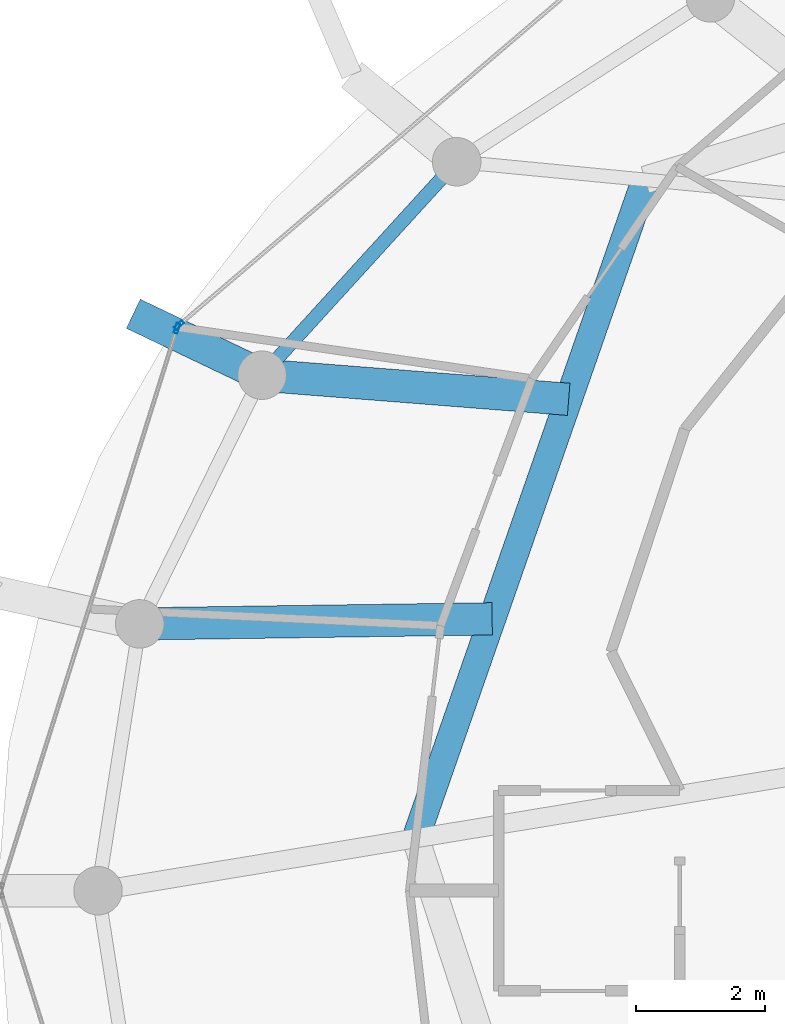
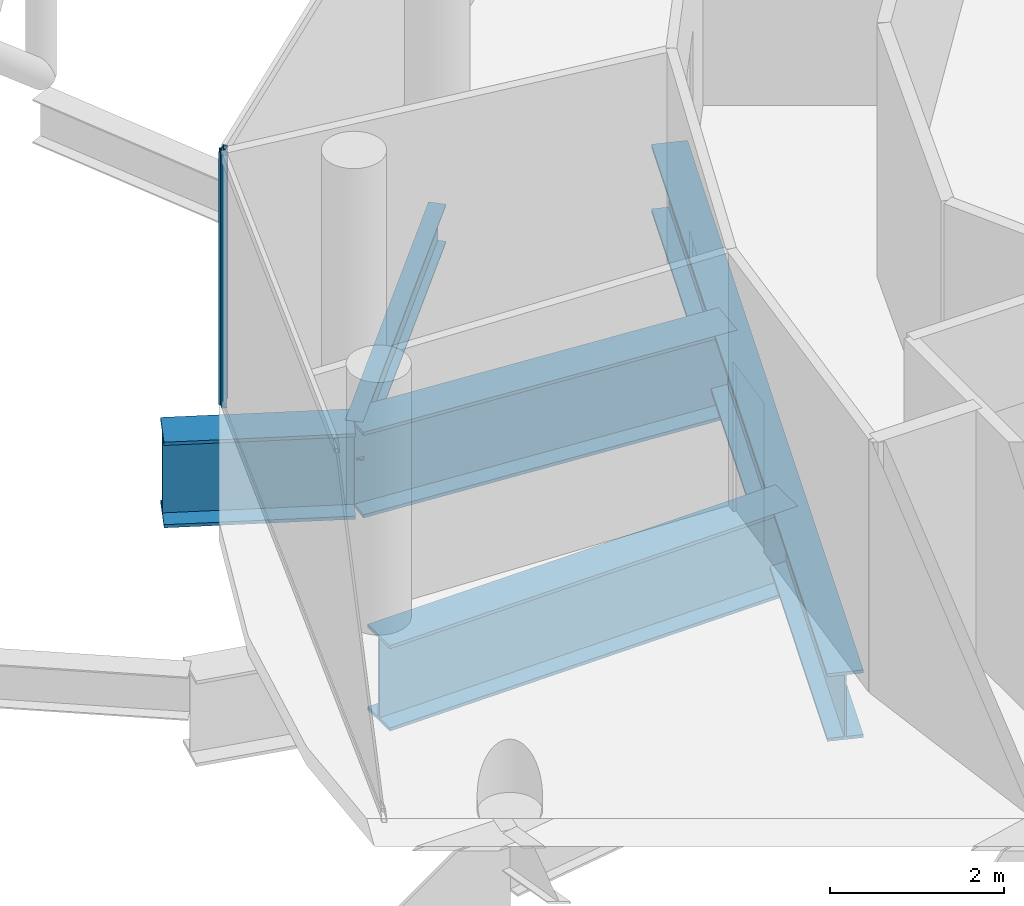
# One storey, part 8 of 25: 5 beams, 2 members, 2 elements without a shape of their own.
"""IFC4 building model written with IfcOpenShell, lengths in metres."""

import ifcopenshell
import ifcopenshell.guid

model = None  # the IFC model being written
_history = None  # IfcOwnerHistory: only IFC2X3 demands one
_inside = {}  # id of a spatial element -> (the spatial element, [elements in it])
_under = {}  # id of a project, library or spatial element -> (it, [spatial elements below it])
_declared = {}  # id of a project -> (the project, [libraries it declares])
_typed = {}  # id of a type object -> (the type object, [elements of that type])
_made_of = {}  # id of a material, layer set ... -> (it, [elements and type objects made of it])


def new_model(schema):
    """Start an empty IFC model of exactly this schema.

    Asked for "IFC4X3", IfcOpenShell would pick the latest addendum, in which some entities
    have other attributes; the version numbers below select the first issue.
    IFC2X3 requires an IfcOwnerHistory on every rooted entity: one is made here for all.
    """
    global model, _history
    if schema == "IFC4X3":
        model = ifcopenshell.file(schema_version=(4, 3, 0, 0))
    else:
        model = ifcopenshell.file(schema=schema)
    _inside.clear()
    _under.clear()
    _declared.clear()
    _typed.clear()
    _made_of.clear()
    _history = None
    if model.schema == "IFC2X3":
        org = make("IfcOrganization", Name="unknown")
        user = make(
            "IfcPersonAndOrganization",
            ThePerson=make("IfcPerson", FamilyName="unknown"),
            TheOrganization=org,
        )
        app = make(
            "IfcApplication",
            ApplicationDeveloper=org,
            Version="unknown",
            ApplicationFullName="unknown",
            ApplicationIdentifier="unknown",
        )
        _history = make(
            "IfcOwnerHistory",
            OwningUser=user,
            OwningApplication=app,
            ChangeAction="ADDED",
            CreationDate=0,
        )
    return model


def make(cls, **values):
    """One entity of the class cls with the attributes given. An attribute that is None is left unset."""
    return model.create_entity(
        cls, **{name: value for name, value in values.items() if value is not None}
    )


def rooted(cls, **values):
    """An entity with a GlobalId (a new one), such as an element, a storey or a relation."""
    return make(cls, GlobalId=ifcopenshell.guid.new(), OwnerHistory=_history, **values)


def si_unit(unit_type, name, prefix=None):
    """IfcSIUnit, for example si_unit("LENGTHUNIT", "METRE", prefix="MILLI")."""
    return make("IfcSIUnit", UnitType=unit_type, Prefix=prefix, Name=name)


def assignment(units):
    """IfcUnitAssignment: the units of a project."""
    return None if units is None else make("IfcUnitAssignment", Units=units)


def point(xyz):
    """IfcCartesianPoint."""
    return None if xyz is None else make("IfcCartesianPoint", Coordinates=xyz)


def direction(xyz):
    """IfcDirection."""
    return None if xyz is None else make("IfcDirection", DirectionRatios=xyz)


def frame(location, z_axis=None, x_axis=None):
    """IfcAxis2Placement3D, a coordinate frame: its origin and axes. An axis left out is left unset."""
    return make(
        "IfcAxis2Placement3D",
        Location=point(location),
        Axis=direction(z_axis),
        RefDirection=direction(x_axis),
    )


def frame_2d(location, x_axis=None):
    """IfcAxis2Placement2D, a coordinate frame in the plane: its origin and x axis."""
    return make(
        "IfcAxis2Placement2D", Location=point(location), RefDirection=direction(x_axis)
    )


def origin():
    """The frame at (0, 0, 0) with its axes left unset."""
    return frame((0.0, 0.0, 0.0))


def origin_2d():
    """The frame at (0, 0) in the plane with its x axis left unset."""
    return frame_2d((0.0, 0.0))


def place(relative_to, where):
    """IfcLocalPlacement: puts the frame where relative to a parent placement (None: the world)."""
    return make(
        "IfcLocalPlacement", PlacementRelTo=relative_to, RelativePlacement=where
    )


def context(
    kind, dimensions, precision=None, world=None, true_north=None, identifier=None
):
    """IfcGeometricRepresentationContext, for example the 3D "Model" context."""
    return make(
        "IfcGeometricRepresentationContext",
        ContextIdentifier=identifier,
        ContextType=kind,
        CoordinateSpaceDimension=dimensions,
        Precision=precision,
        WorldCoordinateSystem=world,
        TrueNorth=true_north,
    )


def subcontext(parent, identifier, kind, view, scale=None):
    """IfcGeometricRepresentationSubContext, for example "Body" below "Model"."""
    return make(
        "IfcGeometricRepresentationSubContext",
        ContextIdentifier=identifier,
        ContextType=kind,
        ParentContext=parent,
        TargetScale=scale,
        TargetView=view,
    )


def project(units=None, contexts=None):
    """IfcProject with its units and contexts."""
    return rooted(
        "IfcProject",
        Name="project",
        RepresentationContexts=contexts,
        UnitsInContext=assignment(units),
    )


def spatial(cls, under=None, at=None, **own):
    """A site, building, storey or space (cls), placed at a placement, below another one or the project."""
    s = rooted(cls, ObjectPlacement=at, **own)
    if under is not None:
        _under.setdefault(under.id(), (under, []))[1].append(s)
    return s


def profile(cls, at=None, kind="AREA", **sizes):
    """A parametric profile (cls). Its sizes go by their IFC names, for example OverallWidth=200.0."""
    return make(cls, ProfileType=kind, Position=at, **sizes)


def hollow_rectangle(**sizes):
    """IfcRectangleHollowProfileDef."""
    return profile("IfcRectangleHollowProfileDef", **sizes)


def i_section(**sizes):
    """IfcIShapeProfileDef."""
    return profile("IfcIShapeProfileDef", **sizes)


def extrude(swept, where, along, depth):
    """IfcExtrudedAreaSolid: the profile swept, set in the frame where, extruded along a direction by depth."""
    return make(
        "IfcExtrudedAreaSolid",
        SweptArea=swept,
        Position=where,
        ExtrudedDirection=direction(along),
        Depth=depth,
    )


def shape(context_of_items, identifier, shape_type, items):
    """IfcShapeRepresentation: the items that make up one representation, for example the "Body"."""
    return make(
        "IfcShapeRepresentation",
        ContextOfItems=context_of_items,
        RepresentationIdentifier=identifier,
        RepresentationType=shape_type,
        Items=items,
    )


def material(Name=None, Category=None):
    """IfcMaterial."""
    return make("IfcMaterial", Name=Name, Category=Category)


def layer(
    of_material, thickness, ventilated=None, Name=None, Category=None, Priority=None
):
    """IfcMaterialLayer: one layer of a wall or slab, of a material (None: an air gap)."""
    return make(
        "IfcMaterialLayer",
        Material=of_material,
        LayerThickness=thickness,
        IsVentilated=ventilated,
        Name=Name,
        Category=Category,
        Priority=Priority,
    )


def layer_set(layers, Name=None):
    """IfcMaterialLayerSet."""
    return make("IfcMaterialLayerSet", MaterialLayers=layers, LayerSetName=Name)


def material_profile(
    of_material, cross_section, Name=None, Category=None, Priority=None
):
    """IfcMaterialProfile: a cross section and its material."""
    return make(
        "IfcMaterialProfile",
        Name=Name,
        Material=of_material,
        Profile=cross_section,
        Priority=Priority,
        Category=Category,
    )


def profile_set(profiles, Name=None, composite=None):
    """IfcMaterialProfileSet."""
    return make(
        "IfcMaterialProfileSet",
        Name=Name,
        MaterialProfiles=profiles,
        CompositeProfile=composite,
    )


def made_of(thing, what):
    """Note that an element or type object is made of a material, layer set ...; save() writes the relation."""
    if what is not None:
        _made_of.setdefault(what.id(), (what, []))[1].append(thing)
    return thing


def type_object(cls, material=None, **own):
    """A type object (cls), such as IfcWallType, which elements share."""
    return made_of(rooted(cls, **own), material)


def element(
    cls,
    number,
    at=None,
    inside=None,
    cuts=None,
    type_object=None,
    material=None,
    context=None,
    identifier="Body",
    shape_type=None,
    held_by="IfcProductDefinitionShape",
    body=None,
    shapes=None,
    **own,
):
    """One element of the class cls, such as IfcWall. Its Tag is "e" and its number.

    at: its placement. inside: the storey or other place that contains it. cuts: it is an
    opening in that element (IfcRelVoidsElement). A single representation is given by context,
    identifier, shape_type and body (its items); several are given by shapes. held_by: the class
    of the entity that holds the representations. save() writes the other relations.
    """
    e = rooted(cls, Tag="e%d" % number, ObjectPlacement=at, **own)
    if body is not None:
        shapes = [shape(context, identifier, shape_type, body)]
    if shapes is not None:
        e.Representation = make(held_by, Representations=shapes)
    if inside is not None:
        _inside.setdefault(inside.id(), (inside, []))[1].append(e)
    if cuts is not None:
        rooted(
            "IfcRelVoidsElement", RelatingBuildingElement=cuts, RelatedOpeningElement=e
        )
    if type_object is not None:
        _typed.setdefault(type_object.id(), (type_object, []))[1].append(e)
    return made_of(e, material)


def aggregate(whole, parts):
    """IfcRelAggregates: a whole, such as a stair, and the parts it consists of."""
    return rooted("IfcRelAggregates", RelatingObject=whole, RelatedObjects=parts)


def save(model, path):
    """Write the relations noted so far, then the file.

    IfcRelAggregates (storeys below a building ...), IfcRelContainedInSpatialStructure (elements
    in a storey), IfcRelDefinesByType, IfcRelAssociatesMaterial and IfcRelDeclares: one each for
    every whole, place, type object, material and project.
    """
    for whole, parts in _under.values():
        aggregate(whole, parts)
    for where, things in _inside.values():
        rooted(
            "IfcRelContainedInSpatialStructure",
            RelatedElements=things,
            RelatingStructure=where,
        )
    for kind, things in _typed.values():
        rooted("IfcRelDefinesByType", RelatedObjects=things, RelatingType=kind)
    for what, things in _made_of.values():
        rooted("IfcRelAssociatesMaterial", RelatedObjects=things, RelatingMaterial=what)
    for by, libraries in _declared.values():
        rooted("IfcRelDeclares", RelatingContext=by, RelatedDefinitions=libraries)
    model.write(path)


model = new_model("IFC4")

# Units and contexts
model_context = context("Model", 3, precision=1e-05, world=origin(), true_north=direction((0.0, 1.0)))
body_context = subcontext(model_context, "Body", "Model", "MODEL_VIEW")
ifc_project = project(units=[si_unit("LENGTHUNIT", "METRE"), si_unit("AREAUNIT", "SQUARE_METRE"), si_unit("VOLUMEUNIT", "CUBIC_METRE"), si_unit("PLANEANGLEUNIT", "RADIAN"), si_unit("MASSUNIT", "GRAM", prefix="KILO")], contexts=[model_context])

# Site, building, storey
site_placement = place(None, origin())
site = spatial("IfcSite", under=ifc_project, at=site_placement, CompositionType="ELEMENT")
building_placement = place(site_placement, origin())
building = spatial("IfcBuilding", under=site, at=building_placement, Name="Nuhasar Tower", CompositionType="ELEMENT")
storey_placement = place(building_placement, frame((0.0, 0.0, 255.60009765625)))
storey = spatial("IfcBuildingStorey", under=building, at=storey_placement, Name="L63", CompositionType="ELEMENT", Elevation=255.60009765625)

# Beams
ifc_material_1 = material(Name="Steel S355", Category="steel")
ifc_material_profile_1 = material_profile(ifc_material_1, i_section(OverallWidth=0.2099609375, OverallDepth=0.537109375, WebThickness=0.010986328125, FlangeThickness=0.017333984375, at=origin_2d()), Name="W21X68")
ifc_profile_set_1 = profile_set([ifc_material_profile_1], Name="Steel S355")
beam_type_1 = type_object("IfcBeamType", Name="BM-RING-W21X68", PredefinedType="SPANDREL", material=ifc_profile_set_1)
beam_1_placement = place(storey_placement, frame((25.60009765625, 38.077880859375, -0.528076171875), z_axis=(-0.673686302939, -0.739017432293, 0.0), x_axis=(0.739017432293, -0.673686302939, 0.0)))
element("IfcBeam", 1, at=beam_1_placement, inside=storey, type_object=beam_type_1, Name="L63 Perimeter Ring Spandrel 10", PredefinedType="SPANDREL", context=body_context, shape_type="SweptSolid", body=[
    extrude(i_section(OverallWidth=0.2099609375, OverallDepth=0.537109375, WebThickness=0.010986328125, FlangeThickness=0.017333984375, at=origin_2d()), origin(), (0.0, 0.0, 1.0), 4.469482421875),
])
ifc_material_2 = material(Name="Steel S460", Category="steel")
ifc_material_profile_2 = material_profile(ifc_material_2, i_section(OverallWidth=0.423095703125, OverallDepth=0.947998046875, WebThickness=0.02392578125, FlangeThickness=0.042724609375, at=origin_2d()), Name="W36X302")
ifc_profile_set_2 = profile_set([ifc_material_profile_2], Name="Steel S460")
beam_type_2 = type_object("IfcBeamType", Name="BM-TMD-W36X302", PredefinedType="USERDEFINED", material=ifc_profile_set_2)
beam_2_placement = place(storey_placement, frame((28.51611328125, 37.798095703125, -0.734130859375), z_axis=(-0.329211236979, -0.944256300718, 0.0), x_axis=(0.944256300718, -0.329211236979, 0.0)))
element("IfcBeam", 2, at=beam_2_placement, inside=storey, type_object=beam_type_2, Name="L63 Inner Header Beam 07", ObjectType="GIRDER", PredefinedType="USERDEFINED", context=body_context, shape_type="SweptSolid", body=[
    extrude(i_section(OverallWidth=0.423095703125, OverallDepth=0.947998046875, WebThickness=0.02392578125, FlangeThickness=0.042724609375, at=origin_2d()), origin(), (0.0, 0.0, 1.0), 10.78955078125),
])
ifc_material_profile_3 = material_profile(ifc_material_2, i_section(OverallWidth=0.5, OverallDepth=1.199951171875, WebThickness=0.02587890625, FlangeThickness=0.044921875, at=origin_2d()), Name="PG1200X500")
ifc_profile_set_3 = profile_set([ifc_material_profile_3], Name="Steel S460")
beam_type_3 = type_object("IfcBeamType", Name="BM-XFER-PG1200", PredefinedType="USERDEFINED", material=ifc_profile_set_3)
beam_3_placement = place(storey_placement, frame((27.33203125, 34.402099609375, -0.860107421875), z_axis=(-0.996925107875, 0.078360253242, 0.0), x_axis=(-0.078360253242, -0.996925107875, 0.0)))
element("IfcBeam", 3, at=beam_3_placement, inside=storey, type_object=beam_type_3, Name="L63 Inner Column Transfer Girder 11", ObjectType="GIRDER", PredefinedType="USERDEFINED", context=body_context, shape_type="SweptSolid", body=[
    extrude(i_section(OverallWidth=0.5, OverallDepth=1.199951171875, WebThickness=0.02587890625, FlangeThickness=0.044921875, at=origin_2d()), origin(), (0.0, 0.0, 1.0), 4.757568359375),
])
beam_4_placement = place(storey_placement, frame((22.589111328125, 34.77490234375, -0.860107421875), z_axis=(-0.902590456871, 0.430500252224, 0.0), x_axis=(-0.430500252224, -0.902590456871, 0.0)))
element("IfcBeam", 4, at=beam_4_placement, inside=storey, type_object=beam_type_3, Name="L63 Outer Column Step Transfer Girder 11", ObjectType="GIRDER", PredefinedType="USERDEFINED", context=body_context, shape_type="SweptSolid", body=[
    extrude(i_section(OverallWidth=0.5, OverallDepth=1.199951171875, WebThickness=0.02587890625, FlangeThickness=0.044921875, at=origin_2d()), origin(), (0.0, 0.0, 1.0), 2.207275390625),
])
beam_5_placement = place(storey_placement, frame((26.14794921875, 31.006103515625, -0.860107421875), z_axis=(-0.999897343432, -0.014328384304, 0.0), x_axis=(0.014328384304, -0.999897343432, 0.0)))
element("IfcBeam", 5, at=beam_5_placement, inside=storey, type_object=beam_type_3, Name="L63 Inner Column Transfer Girder 12", ObjectType="GIRDER", PredefinedType="USERDEFINED", context=body_context, shape_type="SweptSolid", body=[
    extrude(i_section(OverallWidth=0.5, OverallDepth=1.199951171875, WebThickness=0.02587890625, FlangeThickness=0.044921875, at=origin_2d()), origin(), (0.0, 0.0, 1.0), 5.452392578125),
])

# Curtain wall, member
ifc_material_3 = material(Name="Aluminium 6063-T6", Category="aluminium")
ifc_layer = layer(ifc_material_3, 0.18994140625)
ifc_layer_set = layer_set([ifc_layer], Name="Aluminium 6063-T6")
curtain_wall_type = type_object("IfcCurtainWallType", Name="CW-Z4-PEN", PredefinedType="NOTDEFINED", material=ifc_layer_set)
curtain_wall_1_placement = place(storey_placement, origin())
curtain_wall_1 = element("IfcCurtainWall", 6, at=curtain_wall_1_placement, inside=storey, type_object=curtain_wall_type, Name="L63 Unitised Curtain Wall 05", PredefinedType="NOTDEFINED")
ifc_material_profile_4 = material_profile(ifc_material_3, hollow_rectangle(XDim=0.06005859375, YDim=0.1650390625, WallThickness=0.0048828125, at=origin_2d()), Name="CWM-5")
ifc_profile_set_4 = profile_set([ifc_material_profile_4], Name="Aluminium 6063-T6")
member_type = type_object("IfcMemberType", Name="CW-MUL-S5", PredefinedType="MULLION", material=ifc_profile_set_4)
member_1_placement = place(storey_placement, frame((21.3037109375, 35.549560546875, 0.0), z_axis=(0.0, 0.0, 1.0), x_axis=(0.649141996205, -0.760667252327, 0.0)))
member_1 = element("IfcMember", 7, at=member_1_placement, type_object=member_type, Name="CW-Z4 mullion 2", PredefinedType="MULLION", context=body_context, shape_type="SweptSolid", body=[
    extrude(hollow_rectangle(XDim=0.06005859375, YDim=0.1650390625, WallThickness=0.0048828125, at=origin_2d()), origin(), (0.0, 0.0, 1.0), 3.539794921875),
])
aggregate(curtain_wall_1, [member_1])

curtain_wall_2_placement = place(storey_placement, origin())
curtain_wall_2 = element("IfcCurtainWall", 8, at=curtain_wall_2_placement, inside=storey, type_object=curtain_wall_type, Name="L63 Unitised Curtain Wall 06", PredefinedType="NOTDEFINED")
member_2_placement = place(storey_placement, frame((21.27197265625, 35.50146484375, 0.0), z_axis=(0.0, 0.0, 1.0), x_axis=(0.954078526601, -0.299556614146, 0.0)))
member_2 = element("IfcMember", 9, at=member_2_placement, type_object=member_type, Name="CW-Z4 mullion 1", PredefinedType="MULLION", context=body_context, shape_type="SweptSolid", body=[
    extrude(hollow_rectangle(XDim=0.06005859375, YDim=0.1650390625, WallThickness=0.0048828125, at=origin_2d()), origin(), (0.0, 0.0, 1.0), 3.539794921875),
])
aggregate(curtain_wall_2, [member_2])

save(model, "model.ifc")
